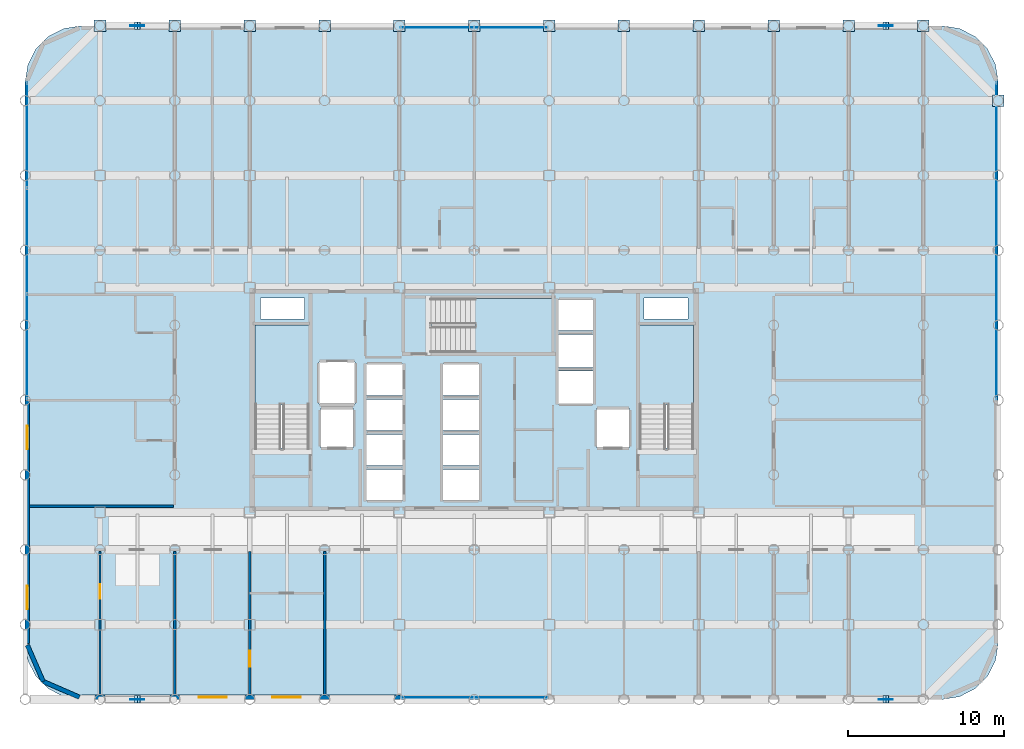
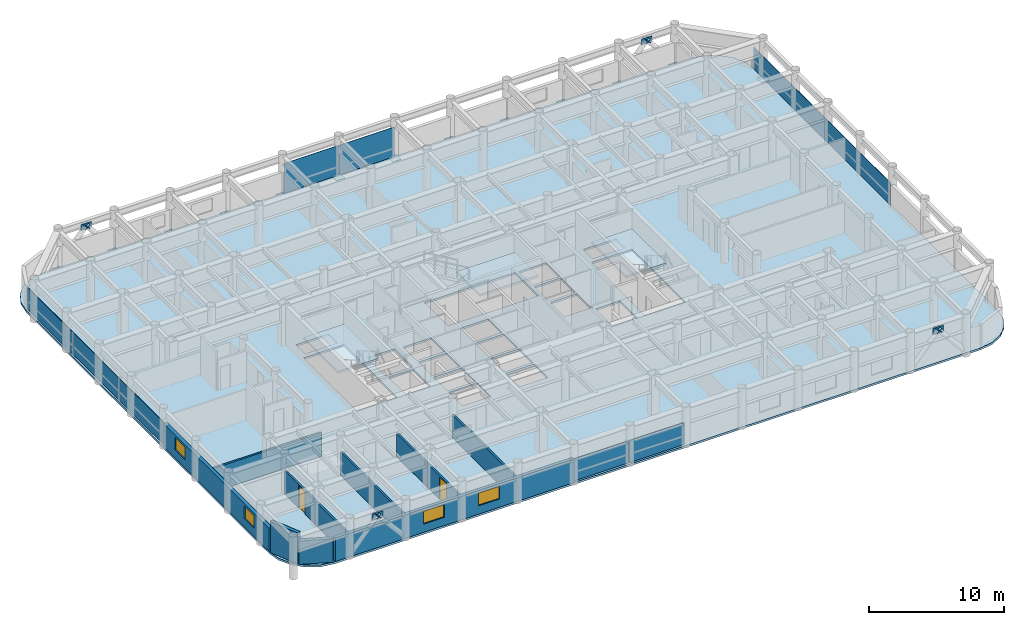
# One storey, part 16 of 22: 33 plates, 9 walls, 4 slabs, 4 windows, 2 doors, 6 openings, 7 elements without a shape of their own.
"""IFC4 building model written with IfcOpenShell, lengths in metres."""

from ifc_helpers import new_model, si_unit, direction, frame, frame_2d, origin, origin_2d, place, context, subcontext, project, spatial, polyline, rectangle, outline, extrude, material, layer, layer_set, type_object, element, fill, aggregate, save


model = new_model("IFC4")

# Units and contexts
model_context = context("Model", 3, precision=1e-05, world=origin(), true_north=direction((0.0, 1.0)))
body_context = subcontext(model_context, "Body", "Model", "MODEL_VIEW")
ifc_project = project(units=[si_unit("LENGTHUNIT", "METRE"), si_unit("AREAUNIT", "SQUARE_METRE"), si_unit("VOLUMEUNIT", "CUBIC_METRE"), si_unit("PLANEANGLEUNIT", "RADIAN"), si_unit("MASSUNIT", "GRAM", prefix="KILO")], contexts=[model_context])

# Site, building, storey
site_placement = place(None, origin())
site = spatial("IfcSite", under=ifc_project, at=site_placement, CompositionType="ELEMENT")
building_placement = place(site_placement, origin())
building = spatial("IfcBuilding", under=site, at=building_placement, Name="Kallvorn Hotel Tower", CompositionType="ELEMENT")
storey_placement = place(building_placement, frame((0.0, 0.0, 95.199951171875)))
storey = spatial("IfcBuildingStorey", under=building, at=storey_placement, Name="L22", CompositionType="ELEMENT", Elevation=95.199951171875)

# Curtain wall, plates
ifc_material_1 = material(Name="Thermally broken black-anodised aluminium AA 6063-T6", Category="aluminium")
ifc_layer_1 = layer(ifc_material_1, 0.199951171875)
ifc_layer_set_1 = layer_set([ifc_layer_1], Name="CW_SYS_3_HOTEL_LOW")
curtain_wall_type = type_object("IfcCurtainWallType", Name="CW_SYS_3_HOTEL_LOW", PredefinedType="USERDEFINED", material=ifc_layer_set_1)
curtain_wall_1_placement = place(storey_placement, origin())
curtain_wall_1 = element("IfcCurtainWall", 1, at=curtain_wall_1_placement, inside=storey, type_object=curtain_wall_type, Name="L22 Dark-Glass Curtain Wall CW-L22-SC", ObjectType="UNITISED CURTAIN WALL", PredefinedType="USERDEFINED")
ifc_material_2 = material(Name="Double-glazed low-e solar-control dark glass", Category="glass")
ifc_layer_2 = layer(ifc_material_2, 0.035888671875)
ifc_layer_set_2 = layer_set([ifc_layer_2], Name="CW_SYS_3_HOTEL_LOW_PANEL")
plate_type_1 = type_object("IfcPlateType", Name="CW_SYS_3_HOTEL_LOW_PANEL", PredefinedType="CURTAIN_PANEL", material=ifc_layer_set_2)
plate_1_placement = place(storey_placement, frame((-2.375, -19.080078125, 0.06005859375), z_axis=(0.0, 0.0, 1.0), x_axis=(1.0, 0.0, 0.0)))
plate_1 = element("IfcPlate", 2, at=plate_1_placement, type_object=plate_type_1, Name="CW-L22-SC Vision Glass Panel 00", PredefinedType="CURTAIN_PANEL", context=body_context, shape_type="SweptSolid", body=[
    extrude(rectangle(XDim=4.68994140625, YDim=0.035888671875, at=origin_2d()), origin(), (0.0, 0.0, 1.0), 2.0),
])
plate_2_placement = place(storey_placement, frame((2.375, -19.080078125, 0.06005859375), z_axis=(0.0, 0.0, 1.0), x_axis=(1.0, 0.0, 0.0)))
plate_2 = element("IfcPlate", 3, at=plate_2_placement, type_object=plate_type_1, Name="CW-L22-SC Vision Glass Panel 01", PredefinedType="CURTAIN_PANEL", context=body_context, shape_type="SweptSolid", body=[
    extrude(rectangle(XDim=4.68994140625, YDim=0.035888671875, at=origin_2d()), origin(), (0.0, 0.0, 1.0), 2.0),
])
aggregate(curtain_wall_1, [plate_1, plate_2])

curtain_wall_2_placement = place(storey_placement, origin())
curtain_wall_2 = element("IfcCurtainWall", 4, at=curtain_wall_2_placement, inside=storey, type_object=curtain_wall_type, Name="L22 Dark-Glass Curtain Wall CW-L22-NC", ObjectType="UNITISED CURTAIN WALL", PredefinedType="USERDEFINED")
plate_3_placement = place(storey_placement, frame((-2.375, 23.8798828125, 0.06005859375), z_axis=(0.0, 0.0, 1.0), x_axis=(1.0, 0.0, 0.0)))
plate_3 = element("IfcPlate", 5, at=plate_3_placement, type_object=plate_type_1, Name="CW-L22-NC Vision Glass Panel 00", PredefinedType="CURTAIN_PANEL", context=body_context, shape_type="SweptSolid", body=[
    extrude(rectangle(XDim=4.68994140625, YDim=0.035888671875, at=origin_2d()), origin(), (0.0, 0.0, 1.0), 2.699951171875),
])
plate_4_placement = place(storey_placement, frame((2.375, 23.8798828125, 0.06005859375), z_axis=(0.0, 0.0, 1.0), x_axis=(1.0, 0.0, 0.0)))
plate_4 = element("IfcPlate", 6, at=plate_4_placement, type_object=plate_type_1, Name="CW-L22-NC Vision Glass Panel 01", PredefinedType="CURTAIN_PANEL", context=body_context, shape_type="SweptSolid", body=[
    extrude(rectangle(XDim=4.68994140625, YDim=0.035888671875, at=origin_2d()), origin(), (0.0, 0.0, 1.0), 2.699951171875),
])
aggregate(curtain_wall_2, [plate_3, plate_4])

curtain_wall_3_placement = place(storey_placement, origin())
curtain_wall_3 = element("IfcCurtainWall", 7, at=curtain_wall_3_placement, inside=storey, type_object=curtain_wall_type, Name="L22 Dark-Glass Curtain Wall CW-L22-WN", ObjectType="UNITISED CURTAIN WALL", PredefinedType="USERDEFINED")
plate_5_placement = place(storey_placement, frame((-28.679931640625, 3.41650390625, 0.06005859375), z_axis=(0.0, 0.0, 1.0), x_axis=(0.0, 1.0, 0.0)))
plate_5 = element("IfcPlate", 8, at=plate_5_placement, type_object=plate_type_1, Name="CW-L22-WN Vision Glass Panel 00", PredefinedType="CURTAIN_PANEL", context=body_context, shape_type="SweptSolid", body=[
    extrude(rectangle(XDim=6.7333984375, YDim=0.035888671875, at=origin_2d()), origin(), (0.0, 0.0, 1.0), 2.0),
])
plate_6_placement = place(storey_placement, frame((-28.679931640625, 10.2099609375, 0.06005859375), z_axis=(0.0, 0.0, 1.0), x_axis=(0.0, 1.0, 0.0)))
plate_6 = element("IfcPlate", 9, at=plate_6_placement, type_object=plate_type_1, Name="CW-L22-WN Vision Glass Panel 01", PredefinedType="CURTAIN_PANEL", context=body_context, shape_type="SweptSolid", body=[
    extrude(rectangle(XDim=6.7333984375, YDim=0.035888671875, at=origin_2d()), origin(), (0.0, 0.0, 1.0), 2.0),
])
plate_7_placement = place(storey_placement, frame((-28.679931640625, 17.00341796875, 0.06005859375), z_axis=(0.0, 0.0, 1.0), x_axis=(0.0, 1.0, 0.0)))
plate_7 = element("IfcPlate", 10, at=plate_7_placement, type_object=plate_type_1, Name="CW-L22-WN Vision Glass Panel 02", PredefinedType="CURTAIN_PANEL", context=body_context, shape_type="SweptSolid", body=[
    extrude(rectangle(XDim=6.7333984375, YDim=0.035888671875, at=origin_2d()), origin(), (0.0, 0.0, 1.0), 2.0),
])
aggregate(curtain_wall_3, [plate_5, plate_6, plate_7])

# Curtain wall, plate
curtain_wall_4_placement = place(storey_placement, origin())
curtain_wall_4 = element("IfcCurtainWall", 11, at=curtain_wall_4_placement, inside=storey, type_object=curtain_wall_type, Name="L22 Dark-Glass Curtain Wall CW-L22-EN", ObjectType="UNITISED CURTAIN WALL", PredefinedType="USERDEFINED")
plate_8_placement = place(storey_placement, frame((33.47998046875, 10.2099609375, 0.06005859375), z_axis=(0.0, 0.0, 1.0), x_axis=(0.0, 1.0, 0.0)))
plate_8 = element("IfcPlate", 12, at=plate_8_placement, type_object=plate_type_1, Name="CW-L22-EN Vision Glass Panel 00", PredefinedType="CURTAIN_PANEL", context=body_context, shape_type="SweptSolid", body=[
    extrude(rectangle(XDim=20.320068359375, YDim=0.035888671875, at=origin_2d()), origin(), (0.0, 0.0, 1.0), 2.0),
])
aggregate(curtain_wall_4, [plate_8])

# Plates
ifc_material_3 = material(Name="Structural steel S355JR", Category="steel")
ifc_layer_3 = layer(ifc_material_3, 0.030029296875)
ifc_layer_set_3 = layer_set([ifc_layer_3], Name="PLT_CAP_30")
plate_type_2 = type_object("IfcPlateType", Name="PLT_CAP_30", PredefinedType="SHEET", material=ifc_layer_set_3)
for number, where, z_axis, x_axis, name in (
    (13, (-24.0, 24.0, -0.2099609375), (0.0, 0.0, 1.0), (1.0, 0.0, 0.0), "L22 Hollow Column Base End Cap Plate 0168"),
    (14, (-19.199951171875, 24.0, -0.2099609375), (0.0, 0.0, 1.0), (1.0, 0.0, 0.0), "L22 Hollow Column Base End Cap Plate 0169"),
    (15, (-14.39990234375, 24.0, -0.2099609375), (0.0, 0.0, 1.0), (1.0, 0.0, 0.0), "L22 Hollow Column Base End Cap Plate 0170"),
    (16, (-9.60009765625, 24.0, -0.2099609375), (0.0, 0.0, 1.0), (1.0, 0.0, 0.0), "L22 Hollow Column Base End Cap Plate 0171"),
    (17, (-4.800048828125, 24.0, -0.2099609375), (0.0, 0.0, 1.0), (1.0, 0.0, 0.0), "L22 Hollow Column Base End Cap Plate 0172"),
    (18, (0.0, 24.0, -0.2099609375), (0.0, 0.0, 1.0), (1.0, 0.0, 0.0), "L22 Hollow Column Base End Cap Plate 0173"),
    (19, (4.800048828125, 24.0, -0.2099609375), (0.0, 0.0, 1.0), (1.0, 0.0, 0.0), "L22 Hollow Column Base End Cap Plate 0174"),
    (20, (9.60009765625, 24.0, -0.2099609375), (0.0, 0.0, 1.0), (1.0, 0.0, 0.0), "L22 Hollow Column Base End Cap Plate 0175"),
    (21, (14.39990234375, 24.0, -0.2099609375), (0.0, 0.0, 1.0), (1.0, 0.0, 0.0), "L22 Hollow Column Base End Cap Plate 0176"),
    (22, (19.199951171875, 24.0, -0.2099609375), (0.0, 0.0, 1.0), (1.0, 0.0, 0.0), "L22 Hollow Column Base End Cap Plate 0177"),
    (23, (24.0, 24.0, -0.2099609375), (0.0, 0.0, 1.0), (1.0, 0.0, 0.0), "L22 Hollow Column Base End Cap Plate 0178"),
    (24, (28.800048828125, 24.0, -0.2099609375), (0.0, 0.0, 1.0), (1.0, 0.0, 0.0), "L22 Hollow Column Base End Cap Plate 0179"),
    (25, (33.60009765625, 19.199951171875, -0.2099609375), (0.0, 0.0, 1.0), (1.0, 0.0, 0.0), "L22 Hollow Column Base End Cap Plate 0180"),
):
    element("IfcPlate", number, at=place(storey_placement, frame(where, z_axis=z_axis, x_axis=x_axis)), inside=storey, type_object=plate_type_2, Name=name, PredefinedType="SHEET", context=body_context, shape_type="SweptSolid", body=[
        extrude(rectangle(XDim=0.739990234375, YDim=0.739990234375, at=origin_2d()), origin(), (0.0, 0.0, 1.0), 0.030029296875),
    ])
for number, where, z_axis, x_axis, name in (
    (26, (-21.409423828125, -19.443115234375, 2.808837890625), (0.653227612507, 0.0, 0.75716159851), (0.0, 1.0, 0.0), "EXO-L22-S1A End Cap Plate B"),
    (27, (-21.79052734375, -18.956787109375, 2.808837890625), (-0.653227612507, 0.0, 0.75716159851), (0.0, -1.0, 0.0), "EXO-L22-S1B End Cap Plate B"),
    (28, (26.590576171875, -19.443115234375, 2.808837890625), (0.653227612507, 0.0, 0.75716159851), (0.0, 1.0, 0.0), "EXO-L22-S2A End Cap Plate B"),
    (29, (26.20947265625, -18.956787109375, 2.808837890625), (-0.653227612507, 0.0, 0.75716159851), (0.0, -1.0, 0.0), "EXO-L22-S2B End Cap Plate B"),
    (30, (-21.409423828125, 23.7568359375, 2.808837890625), (0.653227612507, 0.0, 0.75716159851), (0.0, 1.0, 0.0), "EXO-L22-N1A End Cap Plate B"),
    (31, (-21.79052734375, 24.2431640625, 2.808837890625), (-0.653227612507, 0.0, 0.75716159851), (0.0, -1.0, 0.0), "EXO-L22-N1B End Cap Plate B"),
    (32, (26.590576171875, 23.7568359375, 2.808837890625), (0.653227612507, 0.0, 0.75716159851), (0.0, 1.0, 0.0), "EXO-L22-N2A End Cap Plate B"),
    (33, (26.20947265625, 24.2431640625, 2.808837890625), (-0.653227612507, 0.0, 0.75716159851), (0.0, -1.0, 0.0), "EXO-L22-N2B End Cap Plate B"),
):
    element("IfcPlate", number, at=place(storey_placement, frame(where, z_axis=z_axis, x_axis=x_axis)), inside=storey, type_object=plate_type_2, Name=name, PredefinedType="SHEET", context=body_context, shape_type="SweptSolid", body=[
        extrude(outline(polyline([(0.0, 0.0), (0.486328125, 0.0), (0.486328125, 0.4862423863341974), (0.0, 0.4862423863341974), (0.0, 0.0)])), origin(), (0.0, 0.0, -1.0), 0.030029296875),
    ])
ifc_material_4 = material(Name="Structural steel S355JR", Category="steel")
ifc_layer_4 = layer(ifc_material_4, 0.044921875)
ifc_layer_set_4 = layer_set([ifc_layer_4], Name="PLT_GUSSET_45")
plate_type_3 = type_object("IfcPlateType", Name="PLT_GUSSET_45", PredefinedType="USERDEFINED", material=ifc_layer_set_4)
for number, where, z_axis, x_axis, name in (
    (34, (-21.60009765625, -19.199951171875, 2.64013671875), (0.0, 0.0, 1.0), (1.0, 0.0, 0.0), "L22 Exoskeleton Node Gusset S1"),
    (35, (26.39990234375, -19.199951171875, 2.64013671875), (0.0, 0.0, 1.0), (1.0, 0.0, 0.0), "L22 Exoskeleton Node Gusset S2"),
    (36, (-21.60009765625, 24.0, 2.64013671875), (0.0, 0.0, 1.0), (1.0, 0.0, 0.0), "L22 Exoskeleton Node Gusset N1"),
    (37, (26.39990234375, 24.0, 2.64013671875), (0.0, 0.0, 1.0), (1.0, 0.0, 0.0), "L22 Exoskeleton Node Gusset N2"),
):
    element("IfcPlate", number, at=place(storey_placement, frame(where, z_axis=z_axis, x_axis=x_axis)), inside=storey, type_object=plate_type_3, Name=name, ObjectType="GUSSET PLATE", PredefinedType="USERDEFINED", context=body_context, shape_type="SweptSolid", body=[
        extrude(rectangle(XDim=0.89990234375, YDim=0.044921875, at=origin_2d()), origin(), (0.0, 0.0, 1.0), 0.56005859375),
    ])

# Stair, slab
ifc_material_5 = material(Name="Precast concrete C40/50", Category="concrete")
stair_type = type_object("IfcStairType", Name="STR_CORE_DOGLEG", PredefinedType="HALF_TURN_STAIR", material=ifc_material_5)
stair_1_placement = place(storey_placement, origin())
stair_1 = element("IfcStair", 38, at=stair_1_placement, inside=storey, type_object=stair_type, Name="L22 Exit stair ST1", PredefinedType="HALF_TURN_STAIR")
ifc_material_6 = material(Name="Precast concrete C40/50", Category="concrete")
ifc_layer_5 = layer(ifc_material_6, 0.179931640625)
ifc_layer_set_5 = layer_set([ifc_layer_5], Name="SLB_LANDING_180")
slab_type_1 = type_object("IfcSlabType", Name="SLB_LANDING_180", PredefinedType="LANDING", material=ifc_layer_set_5)
slab_1_placement = place(storey_placement, frame((0.0, 0.0, 1.650146484375)))
slab_1 = element("IfcSlab", 39, at=slab_1_placement, type_object=slab_type_1, Name="ST1 landing 1", PredefinedType="LANDING", context=body_context, shape_type="SweptSolid", body=[
    extrude(outline(polyline([(-10.60009765625, -0.31005859375), (-10.60009765625, 4.800048828125), (-14.06005859375, 4.800048828125), (-14.06005859375, -0.31005859375), (-10.60009765625, -0.31005859375)])), origin(), (0.0, 0.0, 1.0), 0.199951171875),
])
aggregate(stair_1, [slab_1])

stair_2_placement = place(storey_placement, origin())
stair_2 = element("IfcStair", 40, at=stair_2_placement, inside=storey, type_object=stair_type, Name="L22 Exit stair ST2", PredefinedType="HALF_TURN_STAIR")
slab_2_placement = place(storey_placement, frame((0.0, 0.0, 1.650146484375)))
slab_2 = element("IfcSlab", 41, at=slab_2_placement, type_object=slab_type_1, Name="ST2 landing 1", PredefinedType="LANDING", context=body_context, shape_type="SweptSolid", body=[
    extrude(outline(polyline([(14.06005859375, -0.31005859375), (14.06005859375, 4.800048828125), (10.60009765625, 4.800048828125), (10.60009765625, -0.31005859375), (14.06005859375, -0.31005859375)])), origin(), (0.0, 0.0, 1.0), 0.199951171875),
])
aggregate(stair_2, [slab_2])

stair_3_placement = place(storey_placement, origin())
stair_3 = element("IfcStair", 42, at=stair_3_placement, inside=storey, type_object=stair_type, Name="L22 Exit stair ST3", PredefinedType="HALF_TURN_STAIR")
slab_3_placement = place(storey_placement, frame((0.0, 0.0, 1.650146484375)))
slab_3 = element("IfcSlab", 43, at=slab_3_placement, type_object=slab_type_1, Name="ST3 landing 1", PredefinedType="LANDING", context=body_context, shape_type="SweptSolid", body=[
    extrude(outline(polyline([(0.0400390625, 3.050048828125), (5.050048828125, 3.050048828125), (5.050048828125, 6.510009765625), (0.0400390625, 6.510009765625), (0.0400390625, 3.050048828125)])), origin(), (0.0, 0.0, 1.0), 0.199951171875),
])
aggregate(stair_3, [slab_3])

# Slab
ifc_material_7 = material(Name="Concrete C40/50", Category="concrete")
ifc_layer_6 = layer(ifc_material_7, 0.179931640625)
ifc_layer_set_6 = layer_set([ifc_layer_6], Name="SLB_TOWER_180")
slab_type_2 = type_object("IfcSlabType", Name="SLB_TOWER_180", PredefinedType="FLOOR", material=ifc_layer_set_6)
slab_4_placement = place(storey_placement, frame((0.0, 0.0, -0.179931640625)))
element("IfcSlab", 44, at=slab_4_placement, inside=storey, type_object=slab_type_2, Name="L22 Structural Floor Slab", PredefinedType="FLOOR", context=body_context, shape_type="SweptSolid", body=[
    extrude(outline(polyline([(30.0, -19.199951171875), (31.112548828125, -19.023681640625), (32.115966796875, -18.512451171875), (32.91259765625, -17.716064453125), (33.423828125, -16.71240234375), (33.60009765625, -15.60009765625), (33.60009765625, 20.39990234375), (33.423828125, 21.512451171875), (32.91259765625, 22.51611328125), (32.115966796875, 23.3125), (31.112548828125, 23.82373046875), (30.0, 24.0), (-25.199951171875, 24.0), (-26.3125, 23.82373046875), (-27.31591796875, 23.3125), (-28.112548828125, 22.51611328125), (-28.623779296875, 21.512451171875), (-28.800048828125, 20.39990234375), (-28.800048828125, -15.60009765625), (-28.623779296875, -16.71240234375), (-28.112548828125, -17.716064453125), (-27.31591796875, -18.512451171875), (-26.3125, -19.023681640625), (-25.199951171875, -19.199951171875), (30.0, -19.199951171875)]), holes=[polyline([(-10.60009765625, -3.070068359375), (-10.60009765625, 4.800048828125), (-14.06005859375, 4.800048828125), (-14.06005859375, -3.070068359375), (-10.60009765625, -3.070068359375)]), polyline([(14.06005859375, -3.070068359375), (14.06005859375, 4.800048828125), (10.60009765625, 4.800048828125), (10.60009765625, -3.070068359375), (14.06005859375, -3.070068359375)]), polyline([(-2.719970703125, 3.050048828125), (5.050048828125, 3.050048828125), (5.050048828125, 6.510009765625), (-2.719970703125, 6.510009765625), (-2.719970703125, 3.050048828125)]), polyline([(-6.949951171875, -6.449951171875), (-4.550048828125, -6.449951171875), (-4.550048828125, -4.449951171875), (-6.949951171875, -4.449951171875), (-6.949951171875, -6.449951171875)]), polyline([(-6.949951171875, -4.199951171875), (-4.550048828125, -4.199951171875), (-4.550048828125, -2.199951171875), (-6.949951171875, -2.199951171875), (-6.949951171875, -4.199951171875)]), polyline([(-6.949951171875, -1.949951171875), (-4.550048828125, -1.949951171875), (-4.550048828125, 0.050048828125), (-6.949951171875, 0.050048828125), (-6.949951171875, -1.949951171875)]), polyline([(-6.949951171875, 0.300048828125), (-4.550048828125, 0.300048828125), (-4.550048828125, 2.300048828125), (-6.949951171875, 2.300048828125), (-6.949951171875, 0.300048828125)]), polyline([(-2.050048828125, -6.449951171875), (0.35009765625, -6.449951171875), (0.35009765625, -4.449951171875), (-2.050048828125, -4.449951171875), (-2.050048828125, -6.449951171875)]), polyline([(-2.050048828125, -4.199951171875), (0.35009765625, -4.199951171875), (0.35009765625, -2.199951171875), (-2.050048828125, -2.199951171875), (-2.050048828125, -4.199951171875)]), polyline([(-2.050048828125, -1.949951171875), (0.35009765625, -1.949951171875), (0.35009765625, 0.050048828125), (-2.050048828125, 0.050048828125), (-2.050048828125, -1.949951171875)]), polyline([(-2.050048828125, 0.300048828125), (0.35009765625, 0.300048828125), (0.35009765625, 2.300048828125), (-2.050048828125, 2.300048828125), (-2.050048828125, 0.300048828125)]), polyline([(5.35009765625, -0.25), (7.64990234375, -0.25), (7.64990234375, 1.85009765625), (5.35009765625, 1.85009765625), (5.35009765625, -0.25)]), polyline([(5.35009765625, 2.10009765625), (7.64990234375, 2.10009765625), (7.64990234375, 4.199951171875), (5.35009765625, 4.199951171875), (5.35009765625, 2.10009765625)]), polyline([(5.35009765625, 4.449951171875), (7.64990234375, 4.449951171875), (7.64990234375, 6.449951171875), (5.35009765625, 6.449951171875), (5.35009765625, 4.449951171875)]), polyline([(-9.85009765625, -3.050048828125), (-7.75, -3.050048828125), (-7.75, -0.550048828125), (-9.85009765625, -0.550048828125), (-9.85009765625, -3.050048828125)]), polyline([(7.85009765625, -3.050048828125), (9.949951171875, -3.050048828125), (9.949951171875, -0.550048828125), (7.85009765625, -0.550048828125), (7.85009765625, -3.050048828125)]), polyline([(-9.949951171875, -0.25), (-7.64990234375, -0.25), (-7.64990234375, 2.449951171875), (-9.949951171875, 2.449951171875), (-9.949951171875, -0.25)]), polyline([(-13.699951171875, 5.199951171875), (-10.89990234375, 5.199951171875), (-10.89990234375, 6.550048828125), (-13.699951171875, 6.550048828125), (-13.699951171875, 5.199951171875)]), polyline([(10.89990234375, 5.199951171875), (13.699951171875, 5.199951171875), (13.699951171875, 6.550048828125), (10.89990234375, 6.550048828125), (10.89990234375, 5.199951171875)])]), origin(), (0.0, 0.0, 1.0), 0.179931640625),
])

# Walls
ifc_material_8 = material(Name="Fire-rated double-layer acoustic gypsum drywall EI 60")
ifc_layer_7 = layer(ifc_material_8, 0.159912109375)
ifc_layer_set_7 = layer_set([ifc_layer_7], Name="WL_DEMISE_160")
wall_type_1 = type_object("IfcWallType", Name="WL_DEMISE_160", PredefinedType="PARTITIONING", material=ifc_layer_set_7)
wall_1_placement = place(storey_placement, frame((-28.510009765625, -6.800048828125, 0.0), z_axis=(0.0, 0.0, 1.0), x_axis=(1.0, 0.0, 0.0)))
element("IfcWall", 45, at=wall_1_placement, inside=storey, type_object=wall_type_1, Name="L22 Suite 2201 W Loggia King Room Partition", PredefinedType="PARTITIONING", context=body_context, shape_type="SweptSolid", body=[
    extrude(rectangle(XDim=9.22998046875, YDim=0.159912109375, at=frame_2d((4.614990234375, 0.0))), origin(), (0.0, 0.0, 1.0), 2.1201171875),
])
wall_2_placement = place(storey_placement, frame((-19.199951171875, -18.909912109375, 0.0), z_axis=(0.0, 0.0, 1.0), x_axis=(0.0, 1.0, 0.0)))
element("IfcWall", 46, at=wall_2_placement, inside=storey, type_object=wall_type_1, Name="L22 Suite 2203 Executive Living Salon Partition", PredefinedType="PARTITIONING", context=body_context, shape_type="SweptSolid", body=[
    extrude(rectangle(XDim=9.18994140625, YDim=0.159912109375, at=frame_2d((4.594970703125, 0.0))), origin(), (0.0, 0.0, 1.0), 2.1201171875),
])

# Wall, opening, door
wall_3_placement = place(storey_placement, frame((-14.39990234375, -18.909912109375, 0.0), z_axis=(0.0, 0.0, 1.0), x_axis=(0.0, 1.0, 0.0)))
wall_3 = element("IfcWall", 47, at=wall_3_placement, inside=storey, type_object=wall_type_1, Name="L22 Suite 2203 Executive Bedroom Partition", PredefinedType="PARTITIONING", context=body_context, shape_type="SweptSolid", body=[
    extrude(rectangle(XDim=9.18994140625, YDim=0.159912109375, at=frame_2d((4.594970703125, 0.0))), origin(), (0.0, 0.0, 1.0), 2.1201171875),
])
opening_1_placement = place(wall_3_placement, frame((1.79296875, 0.0, 0.0)))
opening_1 = element("IfcOpeningElement", 48, at=opening_1_placement, cuts=wall_3, Name="Opening GD2A", PredefinedType="OPENING", context=body_context, shape_type="SweptSolid", body=[
    extrude(rectangle(XDim=1.050048828125, YDim=2.02001953125, at=frame_2d((0.52490234375, 1.010009765625))), frame((0.0, 0.094970703125, 0.0), z_axis=(0.0, -1.0, 0.0), x_axis=(1.0, 0.0, 0.0)), (0.0, 0.0, 1.0), 0.18994140625),
])
ifc_material_9 = material(Name="Solid-core walnut veneer fire-rated timber door leaf", Category="wood")
door_type_1 = type_object("IfcDoorType", Name="DR_SUITE_1050x2020", OperationType="NOTDEFINED", PredefinedType="DOOR", material=ifc_material_9)
door_1_placement = place(opening_1_placement, origin())
door_1 = element("IfcDoor", 49, at=door_1_placement, inside=storey, type_object=door_type_1, Name="L22 Suite 2203 Executive Bedroom Door", OperationType="SINGLE_SWING_LEFT", OverallHeight=2.02001953125, OverallWidth=1.050048828125, PredefinedType="DOOR", context=body_context, shape_type="SweptSolid", body=[
    extrude(rectangle(XDim=1.050048828125, YDim=2.02001953125, at=frame_2d((0.52490234375, 1.010009765625))), frame((0.0, 0.02490234375, 0.0), z_axis=(0.0, -1.0, 0.0), x_axis=(1.0, 0.0, 0.0)), (0.0, 0.0, 1.0), 0.050048828125),
])
fill(opening_1, door_1)

# Walls
wall_4_placement = place(storey_placement, frame((-9.60009765625, -18.909912109375, 0.0), z_axis=(0.0, 0.0, 1.0), x_axis=(0.0, 1.0, 0.0)))
element("IfcWall", 50, at=wall_4_placement, inside=storey, type_object=wall_type_1, Name="L22 Suite 2203 Executive Bedroom Partition", PredefinedType="PARTITIONING", context=body_context, shape_type="SweptSolid", body=[
    extrude(rectangle(XDim=9.18994140625, YDim=0.159912109375, at=frame_2d((4.594970703125, 0.0))), origin(), (0.0, 0.0, 1.0), 2.1201171875),
])
ifc_material_10 = material(Name="Precast basalt-clad insulated concrete wall C40/50", Category="masonry")
ifc_layer_8 = layer(ifc_material_10, 0.280029296875)
ifc_layer_set_8 = layer_set([ifc_layer_8], Name="WL_EXT_LOGGIA_280")
wall_type_2 = type_object("IfcWallType", Name="WL_EXT_LOGGIA_280", PredefinedType="SOLIDWALL", material=ifc_layer_set_8)
wall_5_placement = place(storey_placement, frame((-28.657958984375, -15.720703125, 0.0), z_axis=(0.0, 0.0, 1.0), x_axis=(0.398792985289, -0.917040977756, 0.0)))
element("IfcWall", 51, at=wall_5_placement, inside=storey, type_object=wall_type_2, Name="L22 Rounded Corner Exterior Wall SW1", PredefinedType="SOLIDWALL", context=body_context, shape_type="SweptSolid", body=[
    extrude(rectangle(XDim=2.536376953125, YDim=0.280029296875, at=frame_2d((1.26806640625, 0.0))), origin(), (0.0, 0.0, 1.0), 2.820068359375),
])
wall_6_placement = place(storey_placement, frame((-27.646484375, -18.046630859375, 0.0), z_axis=(0.0, 0.0, 1.0), x_axis=(0.917060872934, -0.398747232384, 0.0)))
element("IfcWall", 52, at=wall_6_placement, inside=storey, type_object=wall_type_2, Name="L22 Rounded Corner Exterior Wall SW2", PredefinedType="SOLIDWALL", context=body_context, shape_type="SweptSolid", body=[
    extrude(rectangle(XDim=2.5361328125, YDim=0.280029296875, at=frame_2d((1.26806640625, 0.0))), origin(), (0.0, 0.0, 1.0), 2.1201171875),
])

# Wall, openings, windows
wall_7_placement = place(storey_placement, frame((-25.199951171875, -19.06005859375, 0.0), z_axis=(0.0, 0.0, 1.0), x_axis=(1.0, 0.0, 0.0)))
wall_7 = element("IfcWall", 53, at=wall_7_placement, inside=storey, type_object=wall_type_2, Name="L22 Exterior Envelope Wall EW-L22-SW", PredefinedType="SOLIDWALL", context=body_context, shape_type="SweptSolid", body=[
    extrude(rectangle(XDim=20.449951171875, YDim=0.280029296875, at=frame_2d((10.22509765625, 0.0))), origin(), (0.0, 0.0, 1.0), 2.1201171875),
])
opening_2_placement = place(wall_7_placement, frame((7.5400390625, 0.0, 0.75)))
opening_2 = element("IfcOpeningElement", 54, at=opening_2_placement, cuts=wall_7, Name="Opening W04A", PredefinedType="OPENING", context=body_context, shape_type="SweptSolid", body=[
    extrude(rectangle(XDim=1.800048828125, YDim=1.14990234375, at=frame_2d((0.89990234375, 0.574951171875))), frame((0.0, 0.155029296875, 0.0), z_axis=(0.0, -1.0, 0.0), x_axis=(1.0, 0.0, 0.0)), (0.0, 0.0, 1.0), 0.31005859375),
])
opening_3_placement = place(wall_7_placement, frame((12.260009765625, 0.0, 0.75)))
opening_3 = element("IfcOpeningElement", 55, at=opening_3_placement, cuts=wall_7, Name="Opening W04A", PredefinedType="OPENING", context=body_context, shape_type="SweptSolid", body=[
    extrude(rectangle(XDim=1.800048828125, YDim=1.14990234375, at=frame_2d((0.89990234375, 0.574951171875))), frame((0.0, 0.155029296875, 0.0), z_axis=(0.0, -1.0, 0.0), x_axis=(1.0, 0.0, 0.0)), (0.0, 0.0, 1.0), 0.31005859375),
])
ifc_material_11 = material(Name="Double-glazed low-e solar-control dark glass", Category="glass")
window_type_1 = type_object("IfcWindowType", Name="WN_HTL_1800x1150", PartitioningType="SINGLE_PANEL", PredefinedType="WINDOW", material=ifc_material_11)
window_1_placement = place(opening_2_placement, origin())
window_1 = element("IfcWindow", 56, at=window_1_placement, inside=storey, type_object=window_type_1, Name="L22 Guestroom Exterior Window 04", OverallHeight=1.14990234375, OverallWidth=1.800048828125, PartitioningType="SINGLE_PANEL", PredefinedType="WINDOW", context=body_context, shape_type="SweptSolid", body=[
    extrude(rectangle(XDim=1.800048828125, YDim=1.14990234375, at=frame_2d((0.89990234375, 0.574951171875))), frame((0.0, 0.030029296875, 0.0), z_axis=(0.0, -1.0, 0.0), x_axis=(1.0, 0.0, 0.0)), (0.0, 0.0, 1.0), 0.06005859375),
])
fill(opening_2, window_1)
window_2_placement = place(opening_3_placement, origin())
window_2 = element("IfcWindow", 57, at=window_2_placement, inside=storey, type_object=window_type_1, Name="L22 Guestroom Exterior Window 05", OverallHeight=1.14990234375, OverallWidth=1.800048828125, PartitioningType="SINGLE_PANEL", PredefinedType="WINDOW", context=body_context, shape_type="SweptSolid", body=[
    extrude(rectangle(XDim=1.800048828125, YDim=1.14990234375, at=frame_2d((0.89990234375, 0.574951171875))), frame((0.0, 0.030029296875, 0.0), z_axis=(0.0, -1.0, 0.0), x_axis=(1.0, 0.0, 0.0)), (0.0, 0.0, 1.0), 0.06005859375),
])
fill(opening_3, window_2)

wall_8_placement = place(storey_placement, frame((-28.659912109375, -15.60009765625, 0.0), z_axis=(0.0, 0.0, 1.0), x_axis=(0.0, 1.0, 0.0)))
wall_8 = element("IfcWall", 58, at=wall_8_placement, inside=storey, type_object=wall_type_2, Name="L22 Exterior Envelope Wall EW-L22-WS", PredefinedType="SOLIDWALL", context=body_context, shape_type="SweptSolid", body=[
    extrude(rectangle(XDim=15.580078125, YDim=0.280029296875, at=frame_2d((7.7900390625, 0.0))), origin(), (0.0, 0.0, 1.0), 2.1201171875),
])
opening_4_placement = place(wall_8_placement, frame((2.18994140625, 0.0, 0.75)))
opening_4 = element("IfcOpeningElement", 59, at=opening_4_placement, cuts=wall_8, Name="Opening W05A", PredefinedType="OPENING", context=body_context, shape_type="SweptSolid", body=[
    extrude(rectangle(XDim=1.5, YDim=1.14990234375, at=frame_2d((0.75, 0.574951171875))), frame((0.0, 0.155029296875, 0.0), z_axis=(0.0, -1.0, 0.0), x_axis=(1.0, 0.0, 0.0)), (0.0, 0.0, 1.0), 0.31005859375),
])
opening_5_placement = place(wall_8_placement, frame((12.449951171875, 0.0, 0.75)))
opening_5 = element("IfcOpeningElement", 60, at=opening_5_placement, cuts=wall_8, Name="Opening W05A", PredefinedType="OPENING", context=body_context, shape_type="SweptSolid", body=[
    extrude(rectangle(XDim=1.5, YDim=1.14990234375, at=frame_2d((0.75, 0.574951171875))), frame((0.0, 0.155029296875, 0.0), z_axis=(0.0, -1.0, 0.0), x_axis=(1.0, 0.0, 0.0)), (0.0, 0.0, 1.0), 0.31005859375),
])
ifc_material_12 = material(Name="Double-glazed low-e solar-control dark glass", Category="glass")
window_type_2 = type_object("IfcWindowType", Name="WN_HTL_1500x1150", PartitioningType="SINGLE_PANEL", PredefinedType="WINDOW", material=ifc_material_12)
window_3_placement = place(opening_4_placement, origin())
window_3 = element("IfcWindow", 61, at=window_3_placement, inside=storey, type_object=window_type_2, Name="L22 Flank Wing Window 01", OverallHeight=1.14990234375, OverallWidth=1.5, PartitioningType="SINGLE_PANEL", PredefinedType="WINDOW", context=body_context, shape_type="SweptSolid", body=[
    extrude(rectangle(XDim=1.5, YDim=1.14990234375, at=frame_2d((0.75, 0.574951171875))), frame((0.0, 0.030029296875, 0.0), z_axis=(0.0, -1.0, 0.0), x_axis=(1.0, 0.0, 0.0)), (0.0, 0.0, 1.0), 0.06005859375),
])
fill(opening_4, window_3)
window_4_placement = place(opening_5_placement, origin())
window_4 = element("IfcWindow", 62, at=window_4_placement, inside=storey, type_object=window_type_2, Name="L22 Flank Wing Window 03", OverallHeight=1.14990234375, OverallWidth=1.5, PartitioningType="SINGLE_PANEL", PredefinedType="WINDOW", context=body_context, shape_type="SweptSolid", body=[
    extrude(rectangle(XDim=1.5, YDim=1.14990234375, at=frame_2d((0.75, 0.574951171875))), frame((0.0, 0.030029296875, 0.0), z_axis=(0.0, -1.0, 0.0), x_axis=(1.0, 0.0, 0.0)), (0.0, 0.0, 1.0), 0.06005859375),
])
fill(opening_5, window_4)

# Wall, opening, door
ifc_material_13 = material(Name="Fire-rated double-layer acoustic gypsum drywall EI 60")
ifc_layer_9 = layer(ifc_material_13, 0.14990234375)
ifc_layer_set_9 = layer_set([ifc_layer_9], Name="WL_PART_150")
wall_type_3 = type_object("IfcWallType", Name="WL_PART_150", PredefinedType="PARTITIONING", material=ifc_layer_set_9)
wall_9_placement = place(storey_placement, frame((-24.0, -18.909912109375, 0.0), z_axis=(0.0, 0.0, 1.0), x_axis=(0.0, 1.0, 0.0)))
wall_9 = element("IfcWall", 63, at=wall_9_placement, inside=storey, type_object=wall_type_3, Name="L22 L22 South-West Botanical Bar A Partition", PredefinedType="PARTITIONING", context=body_context, shape_type="SweptSolid", body=[
    extrude(rectangle(XDim=9.18994140625, YDim=0.14990234375, at=frame_2d((4.594970703125, 0.0))), origin(), (0.0, 0.0, 1.0), 2.1201171875),
])
opening_6_placement = place(wall_9_placement, frame((6.18212890625, 0.0, 0.0)))
opening_6 = element("IfcOpeningElement", 64, at=opening_6_placement, cuts=wall_9, Name="Opening SVD1A", PredefinedType="OPENING", context=body_context, shape_type="SweptSolid", body=[
    extrude(rectangle(XDim=0.89990234375, YDim=2.02001953125, at=frame_2d((0.449951171875, 1.010009765625))), frame((0.0, 0.08984375, 0.0), z_axis=(0.0, -1.0, 0.0), x_axis=(1.0, 0.0, 0.0)), (0.0, 0.0, 1.0), 0.179931640625),
])
ifc_material_14 = material(Name="Galvanised painted steel fire-rated door assembly", Category="steel")
door_type_2 = type_object("IfcDoorType", Name="DR_SERV_900x2020", OperationType="NOTDEFINED", PredefinedType="DOOR", material=ifc_material_14)
door_2_placement = place(opening_6_placement, origin())
door_2 = element("IfcDoor", 65, at=door_2_placement, inside=storey, type_object=door_type_2, Name="L22 L22 South-West Botanical Bar A Door", OperationType="SINGLE_SWING_LEFT", OverallHeight=2.02001953125, OverallWidth=0.89990234375, PredefinedType="DOOR", context=body_context, shape_type="SweptSolid", body=[
    extrude(rectangle(XDim=0.89990234375, YDim=2.02001953125, at=frame_2d((0.449951171875, 1.010009765625))), frame((0.0, 0.02490234375, 0.0), z_axis=(0.0, -1.0, 0.0), x_axis=(1.0, 0.0, 0.0)), (0.0, 0.0, 1.0), 0.050048828125),
])
fill(opening_6, door_2)

save(model, "model.ifc")
